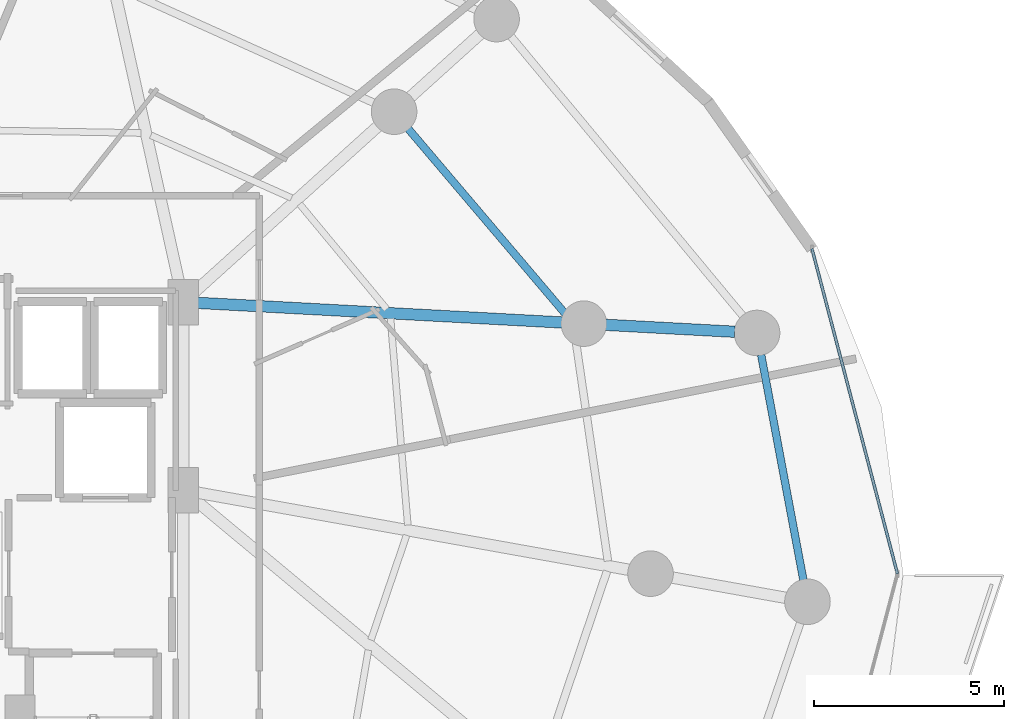
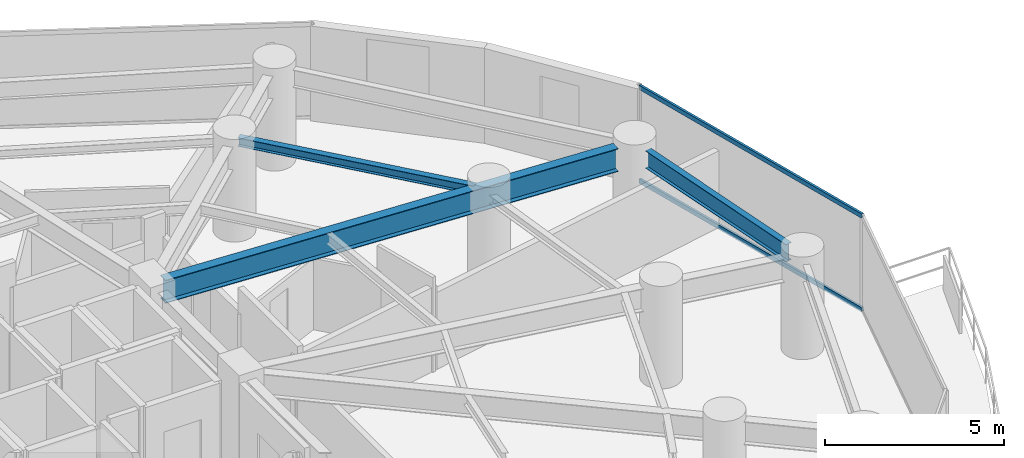
# One storey, part 17 of 34: 3 beams, 2 members, 1 element without a shape of its own.
"""IFC4 building model written with IfcOpenShell, lengths in metres."""

from ifc_helpers import new_model, si_unit, direction, frame, origin, origin_2d, place, context, subcontext, project, spatial, hollow_rectangle, i_section, extrude, material, material_profile, profile_set, type_object, element, aggregate, save


model = new_model("IFC4")

# Units and contexts
model_context = context("Model", 3, precision=1e-05, world=origin(), true_north=direction((0.0, 1.0)))
body_context = subcontext(model_context, "Body", "Model", "MODEL_VIEW")
ifc_project = project(units=[si_unit("LENGTHUNIT", "METRE"), si_unit("AREAUNIT", "SQUARE_METRE"), si_unit("VOLUMEUNIT", "CUBIC_METRE"), si_unit("PLANEANGLEUNIT", "RADIAN"), si_unit("MASSUNIT", "GRAM", prefix="KILO")], contexts=[model_context])

# Site, building, storey
site_placement = place(None, origin())
site = spatial("IfcSite", under=ifc_project, at=site_placement, CompositionType="ELEMENT")
building_placement = place(site_placement, origin())
building = spatial("IfcBuilding", under=site, at=building_placement, Name="Vorneva Point Tower", CompositionType="ELEMENT")
storey_placement = place(building_placement, frame((0.0, 0.0, 62.5)))
storey = spatial("IfcBuildingStorey", under=building, at=storey_placement, Name="L16", CompositionType="ELEMENT", Elevation=62.5)

# Beams
ifc_material_1 = material(Name="Steel S355", Category="steel")
ifc_material_profile_1 = material_profile(ifc_material_1, i_section(OverallWidth=0.300048828125, OverallDepth=0.7880859375, WebThickness=0.014404296875, FlangeThickness=0.02197265625, at=origin_2d()), Name="80Sh1")
ifc_profile_set_1 = profile_set([ifc_material_profile_1], Name="Steel S355")
beam_type_1 = type_object("IfcBeamType", Name="BM-GRD-80Sh1", PredefinedType="USERDEFINED", material=ifc_profile_set_1)
beam_1_placement = place(storey_placement, frame((63.267333984375, 32.368408203125, 2.845947265625), z_axis=(-0.998554321193, 0.053751908115, 0.0), x_axis=(-0.053751908115, -0.998554321193, 0.0)))
element("IfcBeam", 1, at=beam_1_placement, inside=storey, type_object=beam_type_1, Name="L16 Radial Primary Girder 02", ObjectType="GIRDER", PredefinedType="USERDEFINED", context=body_context, shape_type="SweptSolid", body=[
    extrude(i_section(OverallWidth=0.300048828125, OverallDepth=0.7880859375, WebThickness=0.014404296875, FlangeThickness=0.02197265625, at=origin_2d()), origin(), (0.0, 0.0, 1.0), 14.1982421875),
])
ifc_material_profile_2 = material_profile(ifc_material_1, i_section(OverallWidth=0.199951171875, OverallDepth=0.291015625, WebThickness=0.008056640625, FlangeThickness=0.010986328125, at=origin_2d()), Name="30Sh1")
ifc_profile_set_2 = profile_set([ifc_material_profile_2], Name="Steel S355")
beam_type_2 = type_object("IfcBeamType", Name="BM-SEC-30Sh1", PredefinedType="BEAM", material=ifc_profile_set_2)
beam_2_placement = place(storey_placement, frame((58.9248046875, 32.702392578125, 3.094482421875), z_axis=(-0.647202977848, 0.7623177195, 0.0), x_axis=(-0.7623177195, -0.647202977848, 0.0)))
element("IfcBeam", 2, at=beam_2_placement, inside=storey, type_object=beam_type_2, Name="L16 Secondary Floor Beam 1.02", PredefinedType="BEAM", context=body_context, shape_type="SweptSolid", body=[
    extrude(i_section(OverallWidth=0.199951171875, OverallDepth=0.291015625, WebThickness=0.008056640625, FlangeThickness=0.010986328125, at=origin_2d()), origin(), (0.0, 0.0, 1.0), 7.017822265625),
])
ifc_material_profile_3 = material_profile(ifc_material_1, i_section(OverallWidth=0.198974609375, OverallDepth=0.595947265625, WebThickness=0.010009765625, FlangeThickness=0.014892578125, at=origin_2d()), Name="60B1")
ifc_profile_set_3 = profile_set([ifc_material_profile_3], Name="Steel S355")
beam_type_3 = type_object("IfcBeamType", Name="BM-SPN-60B1", PredefinedType="SPANDREL", material=ifc_profile_set_3)
beam_3_placement = place(storey_placement, frame((65.07421875, 25.8359375, 2.94189453125), z_axis=(-0.184405887522, 0.982850176094, 0.0), x_axis=(-0.982850176094, -0.184405887522, 0.0)))
element("IfcBeam", 3, at=beam_3_placement, inside=storey, type_object=beam_type_3, Name="L16 Perimeter Spandrel Ring Beam 01", PredefinedType="SPANDREL", context=body_context, shape_type="SweptSolid", body=[
    extrude(i_section(OverallWidth=0.198974609375, OverallDepth=0.595947265625, WebThickness=0.010009765625, FlangeThickness=0.014892578125, at=origin_2d()), origin(), (0.0, 0.0, 1.0), 6.029296875),
])

# Curtain wall, members
ifc_material_2 = material(Name="Pale anodised aluminium", Category="aluminium")
curtain_wall_type = type_object("IfcCurtainWallType", Name="CW-HTL-SYS", PredefinedType="NOTDEFINED", material=ifc_material_2)
curtain_wall_placement = place(storey_placement, origin())
curtain_wall = element("IfcCurtainWall", 4, at=curtain_wall_placement, inside=storey, type_object=curtain_wall_type, Name="L16 Unitised Curtain Wall CW-L16-R01", PredefinedType="NOTDEFINED")
ifc_material_profile_4 = material_profile(ifc_material_2, hollow_rectangle(XDim=0.074951171875, YDim=0.14990234375, WallThickness=0.00390625, at=origin_2d()), Name="AL-TRN 150x75x4")
ifc_profile_set_4 = profile_set([ifc_material_profile_4], Name="Pale anodised aluminium")
member_type = type_object("IfcMemberType", Name="CW-TRN-150", PredefinedType="USERDEFINED", material=ifc_profile_set_4)
member_1_placement = place(storey_placement, frame((67.550048828125, 26.0, 0.02001953125), z_axis=(-0.254358772746, 0.967109928978, 0.0), x_axis=(-0.967109928978, -0.254358772746, 0.0)))
member_1 = element("IfcMember", 5, at=member_1_placement, type_object=member_type, Name="CW-L16-R01 Transom 03.1", ObjectType="TRANSOM", PredefinedType="USERDEFINED", context=body_context, shape_type="SweptSolid", body=[
    extrude(hollow_rectangle(XDim=0.074951171875, YDim=0.14990234375, WallThickness=0.00390625, at=origin_2d()), origin(), (0.0, 0.0, 1.0), 8.84375),
])
member_2_placement = place(storey_placement, frame((67.550048828125, 26.0, 3.219970703125), z_axis=(-0.254358772746, 0.967109928978, 0.0), x_axis=(-0.967109928978, -0.254358772746, 0.0)))
member_2 = element("IfcMember", 6, at=member_2_placement, type_object=member_type, Name="CW-L16-R01 Transom 03.2", ObjectType="TRANSOM", PredefinedType="USERDEFINED", context=body_context, shape_type="SweptSolid", body=[
    extrude(hollow_rectangle(XDim=0.074951171875, YDim=0.14990234375, WallThickness=0.00390625, at=origin_2d()), origin(), (0.0, 0.0, 1.0), 8.84375),
])
aggregate(curtain_wall, [member_1, member_2])

save(model, "model.ifc")
